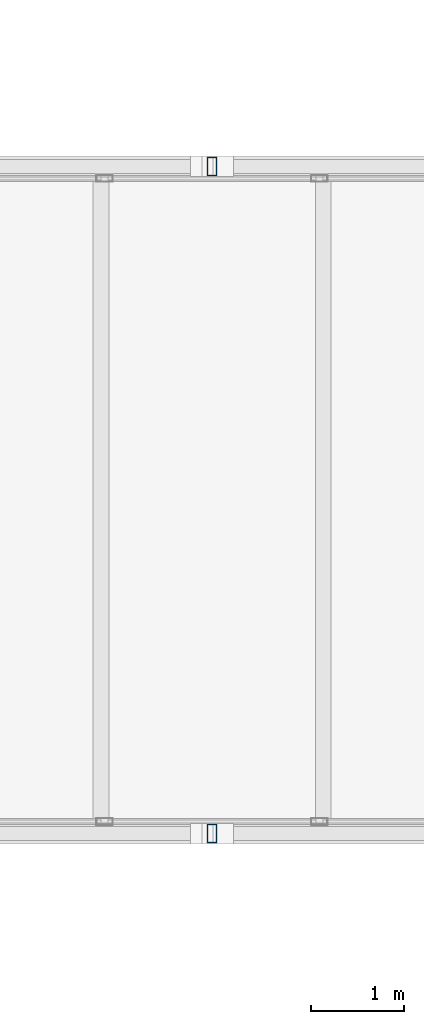
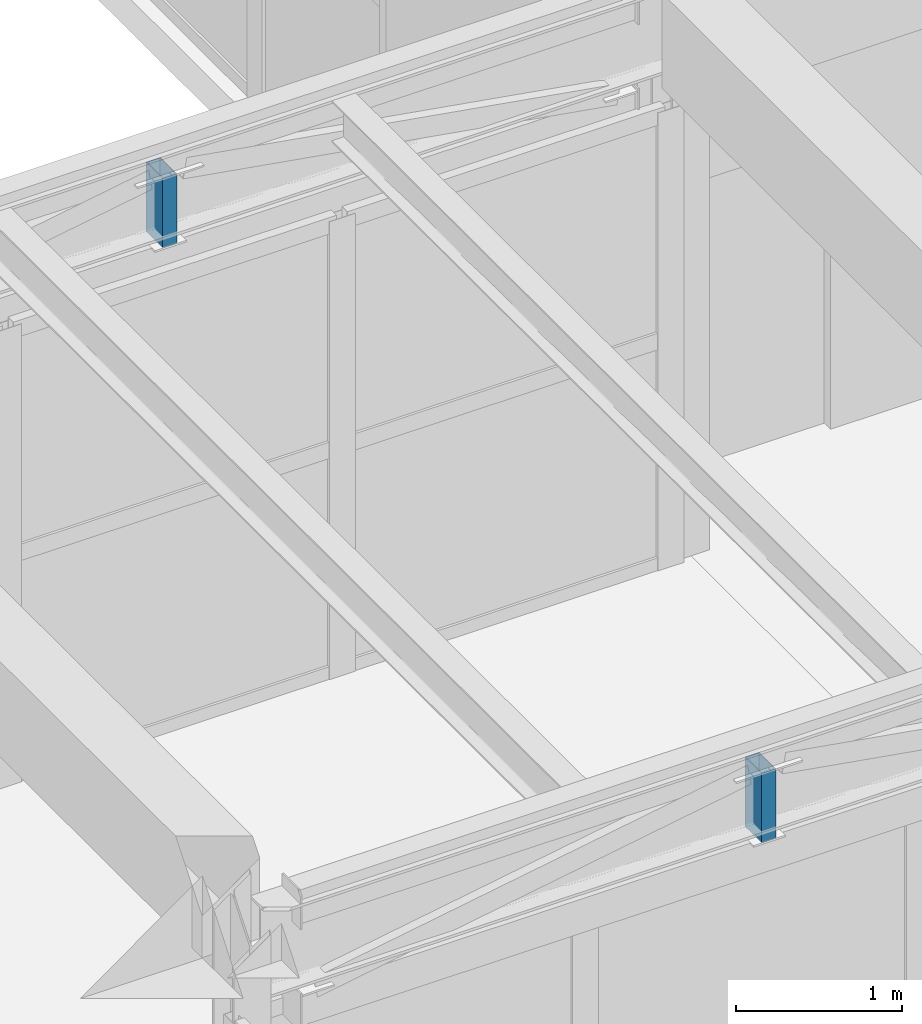
# One storey, part 116 of 153: 2 members.
"""IFC4 building model written with IfcOpenShell, lengths in metres."""

from ifc_helpers import new_model, si_unit, direction, frame, origin, origin_2d, place, context, subcontext, project, spatial, hollow_rectangle, extrude, material, material_profile, profile_set, type_object, element, save


model = new_model("IFC4")

# Units and contexts
model_context = context("Model", 3, precision=1e-05, world=origin(), true_north=direction((0.0, 1.0)))
body_context = subcontext(model_context, "Body", "Model", "MODEL_VIEW")
ifc_project = project(units=[si_unit("LENGTHUNIT", "METRE"), si_unit("AREAUNIT", "SQUARE_METRE"), si_unit("VOLUMEUNIT", "CUBIC_METRE"), si_unit("PLANEANGLEUNIT", "RADIAN"), si_unit("MASSUNIT", "GRAM", prefix="KILO")], contexts=[model_context])

# Site, building, storey
site_placement = place(None, origin())
site = spatial("IfcSite", under=ifc_project, at=site_placement, CompositionType="ELEMENT")
building_placement = place(site_placement, origin())
building = spatial("IfcBuilding", under=site, at=building_placement, Name="Bramvelor Terrace Health Centre", CompositionType="ELEMENT")
storey_placement = place(building_placement, frame((0.0, 0.0, 4.800048828125)))
storey = spatial("IfcBuildingStorey", under=building, at=storey_placement, Name="L02", CompositionType="ELEMENT", Elevation=4.800048828125)

# Members
ifc_material = material(Name="Steel S355J2", Category="steel")
ifc_material_profile = material_profile(ifc_material, hollow_rectangle(XDim=0.10009765625, YDim=0.199951171875, WallThickness=0.00634765625, at=origin_2d()), Name="RHS 200x100x6.3")
ifc_profile_set = profile_set([ifc_material_profile], Name="Steel S355J2")
member_type = type_object("IfcMemberType", Name="MEM-STL-RHS200", PredefinedType="STRUT", material=ifc_profile_set)
for number, where, z_axis, x_axis, name in (
    (1, (97.199951171875, 50.39990234375, 3.52001953125), (0.0, 0.0, 1.0), (1.0, 0.0, 0.0), "BR3 Bridge Truss Vertical Strut 1"),
    (2, (97.199951171875, 57.60009765625, 3.52001953125), (0.0, 0.0, 1.0), (1.0, 0.0, 0.0), "BR3 Bridge Truss Vertical Strut 1"),
):
    element("IfcMember", number, at=place(storey_placement, frame(where, z_axis=z_axis, x_axis=x_axis)), inside=storey, type_object=member_type, Name=name, PredefinedType="STRUT", context=body_context, shape_type="SweptSolid", body=[
        extrude(hollow_rectangle(XDim=0.10009765625, YDim=0.199951171875, WallThickness=0.00634765625, at=origin_2d()), origin(), (0.0, 0.0, 1.0), 0.510009765625),
    ])

save(model, "model.ifc")
